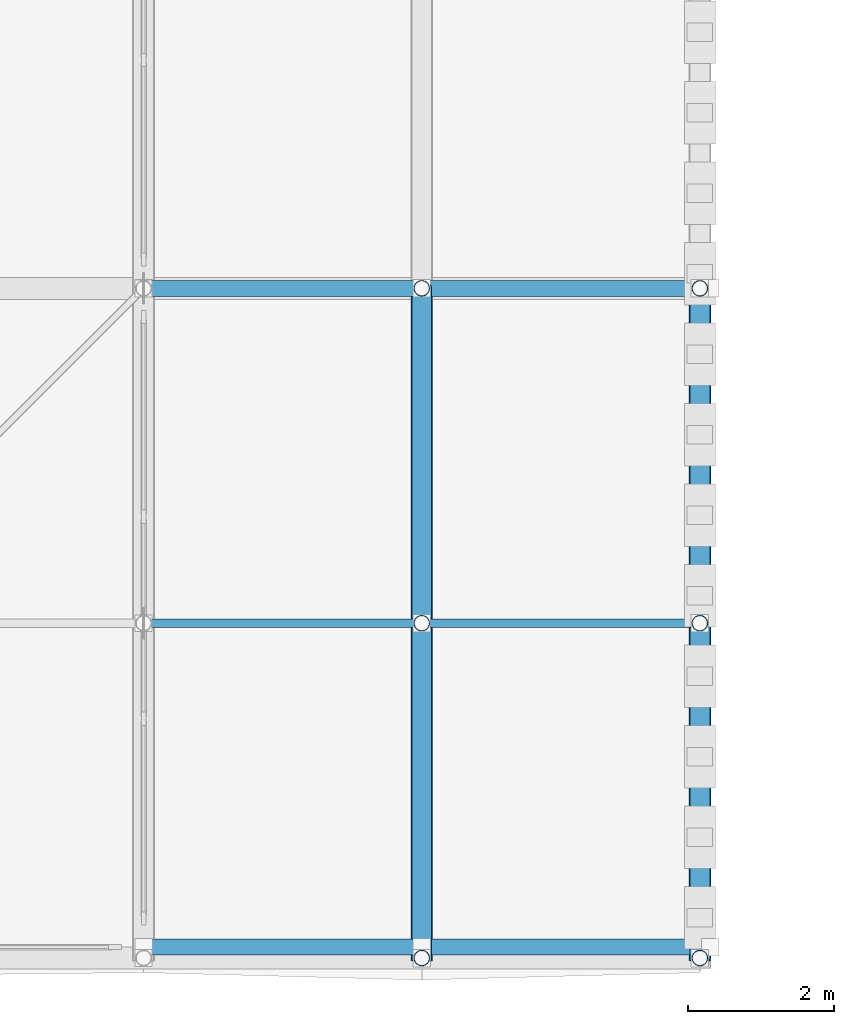
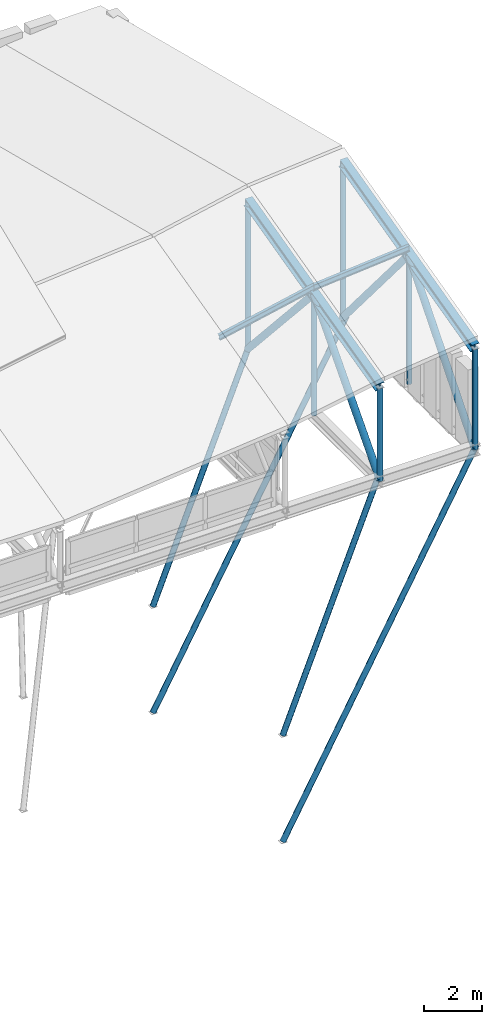
# One storey, part 22 of 42: 18 members.
"""IFC4 building model written with IfcOpenShell, lengths in metres."""

from ifc_helpers import new_model, si_unit, direction, frame, origin, origin_2d, place, context, subcontext, project, spatial, hollow_circle, i_section, extrude, material, material_profile, profile_set, type_object, element, save


model = new_model("IFC4")

# Units and contexts
model_context = context("Model", 3, precision=1e-05, world=origin(), true_north=direction((0.0, 1.0)))
body_context = subcontext(model_context, "Body", "Model", "MODEL_VIEW")
ifc_project = project(units=[si_unit("LENGTHUNIT", "METRE"), si_unit("AREAUNIT", "SQUARE_METRE"), si_unit("VOLUMEUNIT", "CUBIC_METRE"), si_unit("PLANEANGLEUNIT", "RADIAN"), si_unit("MASSUNIT", "GRAM", prefix="KILO")], contexts=[model_context])

# Site, building, storey
site_placement = place(None, origin())
site = spatial("IfcSite", under=ifc_project, at=site_placement, CompositionType="ELEMENT")
building_placement = place(site_placement, origin())
building = spatial("IfcBuilding", under=site, at=building_placement, Name="Bozkorgan Art Gallery", CompositionType="ELEMENT")
storey_placement = place(building_placement, frame((0.0, 0.0, 28.800048828125)))
storey = spatial("IfcBuildingStorey", under=building, at=storey_placement, Name="RF", CompositionType="ELEMENT", Elevation=28.800048828125)

# Members
ifc_material = material(Name="Steel S355J2", Category="steel")
ifc_material_profile_1 = material_profile(ifc_material, hollow_circle(Radius=0.109619140625, WallThickness=0.010009765625, at=origin_2d()), Name="CHS 219.1x10")
ifc_profile_set_1 = profile_set([ifc_material_profile_1], Name="Steel S355J2")
member_type_1 = type_object("IfcMemberType", Name="MEMBER-ES-44", PredefinedType="BRACE", material=ifc_profile_set_1)
member_1_placement = place(storey_placement, frame((65.0, 2.0, -13.800048828125), z_axis=(0.48251516305, 0.0, 0.875887616893), x_axis=(0.0, 1.0, 0.0)))
element("IfcMember", 1, at=member_1_placement, inside=storey, type_object=member_type_1, Name="ROOF-V1-MAIN east swept-eave diagonal tree-strut 1", PredefinedType="BRACE", context=body_context, shape_type="SweptSolid", body=[
    extrude(hollow_circle(Radius=0.109619140625, WallThickness=0.010009765625, at=origin_2d()), origin(), (0.0, 0.0, 1.0), 16.041015625),
])
member_2_placement = place(storey_placement, frame((65.0, 2.0, -9.300048828125), z_axis=(0.369715077637, 0.0, 0.929145177767), x_axis=(0.0, 1.0, 0.0)))
element("IfcMember", 2, at=member_2_placement, inside=storey, type_object=member_type_1, Name="ROOF-V1-MAIN east mid-overhang diagonal tree-strut 1", PredefinedType="BRACE", context=body_context, shape_type="SweptSolid", body=[
    extrude(hollow_circle(Radius=0.109619140625, WallThickness=0.010009765625, at=origin_2d()), origin(), (0.0, 0.0, 1.0), 10.2783203125),
])
member_3_placement = place(storey_placement, frame((65.0, 11.0, -13.800048828125), z_axis=(0.48251516305, 0.0, 0.875887616893), x_axis=(0.0, 1.0, 0.0)))
element("IfcMember", 3, at=member_3_placement, inside=storey, type_object=member_type_1, Name="ROOF-V1-MAIN east swept-eave diagonal tree-strut 2", PredefinedType="BRACE", context=body_context, shape_type="SweptSolid", body=[
    extrude(hollow_circle(Radius=0.109619140625, WallThickness=0.010009765625, at=origin_2d()), origin(), (0.0, 0.0, 1.0), 16.041015625),
])
member_4_placement = place(storey_placement, frame((65.0, 11.0, -9.300048828125), z_axis=(0.369715077637, 0.0, 0.929145177767), x_axis=(0.0, 1.0, 0.0)))
element("IfcMember", 4, at=member_4_placement, inside=storey, type_object=member_type_1, Name="ROOF-V1-MAIN east mid-overhang diagonal tree-strut 2", PredefinedType="BRACE", context=body_context, shape_type="SweptSolid", body=[
    extrude(hollow_circle(Radius=0.109619140625, WallThickness=0.010009765625, at=origin_2d()), origin(), (0.0, 0.0, 1.0), 10.2783203125),
])
ifc_material_profile_2 = material_profile(ifc_material, hollow_circle(Radius=0.109619140625, WallThickness=0.010009765625, at=origin_2d()), Name="CHS 219.1x10")
ifc_profile_set_2 = profile_set([ifc_material_profile_2], Name="Steel S355J2")
member_type_2 = type_object("IfcMemberType", Name="MEMBER-PO-77", PredefinedType="POST", material=ifc_profile_set_2)
member_5_placement = place(storey_placement, frame((68.800048828125, 1.85009765625, 0.25), z_axis=(0.0, 0.0, 1.0), x_axis=(1.0, 0.0, 0.0)))
element("IfcMember", 5, at=member_5_placement, inside=storey, type_object=member_type_2, Name="ROOF-V1-MAIN roof truss 9 post 0", PredefinedType="POST", context=body_context, shape_type="SweptSolid", body=[
    extrude(hollow_circle(Radius=0.109619140625, WallThickness=0.010009765625, at=origin_2d()), origin(), (0.0, 0.0, 1.0), 3.937255859375),
])
member_6_placement = place(storey_placement, frame((68.800048828125, 6.425048828125, 0.25), z_axis=(0.0, 0.0, 1.0), x_axis=(1.0, 0.0, 0.0)))
element("IfcMember", 6, at=member_6_placement, inside=storey, type_object=member_type_2, Name="ROOF-V1-MAIN roof truss 9 post 1", PredefinedType="POST", context=body_context, shape_type="SweptSolid", body=[
    extrude(hollow_circle(Radius=0.109619140625, WallThickness=0.010009765625, at=origin_2d()), origin(), (0.0, 0.0, 1.0), 5.094970703125),
])
member_7_placement = place(storey_placement, frame((68.800048828125, 11.0, 0.25), z_axis=(0.0, 0.0, 1.0), x_axis=(1.0, 0.0, 0.0)))
element("IfcMember", 7, at=member_7_placement, inside=storey, type_object=member_type_2, Name="ROOF-V1-MAIN roof truss 9 post 2", PredefinedType="POST", context=body_context, shape_type="SweptSolid", body=[
    extrude(hollow_circle(Radius=0.109619140625, WallThickness=0.010009765625, at=origin_2d()), origin(), (0.0, 0.0, 1.0), 6.25244140625),
])
member_8_placement = place(storey_placement, frame((72.60009765625, 1.85009765625, 0.25), z_axis=(0.0, 0.0, 1.0), x_axis=(1.0, 0.0, 0.0)))
element("IfcMember", 8, at=member_8_placement, inside=storey, type_object=member_type_2, Name="ROOF-V1-MAIN roof truss 10 post 0", PredefinedType="POST", context=body_context, shape_type="SweptSolid", body=[
    extrude(hollow_circle(Radius=0.109619140625, WallThickness=0.010009765625, at=origin_2d()), origin(), (0.0, 0.0, 1.0), 4.261962890625),
])
member_9_placement = place(storey_placement, frame((72.60009765625, 6.425048828125, 0.25), z_axis=(0.0, 0.0, 1.0), x_axis=(1.0, 0.0, 0.0)))
element("IfcMember", 9, at=member_9_placement, inside=storey, type_object=member_type_2, Name="ROOF-V1-MAIN roof truss 10 post 1", PredefinedType="POST", context=body_context, shape_type="SweptSolid", body=[
    extrude(hollow_circle(Radius=0.109619140625, WallThickness=0.010009765625, at=origin_2d()), origin(), (0.0, 0.0, 1.0), 5.41943359375),
])
member_10_placement = place(storey_placement, frame((72.60009765625, 11.0, 0.25), z_axis=(0.0, 0.0, 1.0), x_axis=(1.0, 0.0, 0.0)))
element("IfcMember", 10, at=member_10_placement, inside=storey, type_object=member_type_2, Name="ROOF-V1-MAIN roof truss 10 post 2", PredefinedType="POST", context=body_context, shape_type="SweptSolid", body=[
    extrude(hollow_circle(Radius=0.109619140625, WallThickness=0.010009765625, at=origin_2d()), origin(), (0.0, 0.0, 1.0), 6.5771484375),
])
ifc_material_profile_3 = material_profile(ifc_material, i_section(OverallWidth=0.1201171875, OverallDepth=0.239990234375, WebThickness=0.006103515625, FlangeThickness=0.009765625, FilletRadius=0.014892578125, at=origin_2d()), Name="IPE 240")
ifc_profile_set_3 = profile_set([ifc_material_profile_3], Name="Steel S355J2")
member_type_3 = type_object("IfcMemberType", Name="MEMBER-PR-34", PredefinedType="PURLIN", material=ifc_profile_set_3)
member_11_placement = place(storey_placement, frame((65.0, 6.425048828125, 4.84326171875), z_axis=(0.978724893195, 0.0, 0.205176956408), x_axis=(0.0, 1.0, 0.0)))
element("IfcMember", 11, at=member_11_placement, inside=storey, type_object=member_type_3, Name="ROOF-V1-MAIN roof purlin 8S", PredefinedType="PURLIN", context=body_context, shape_type="SweptSolid", body=[
    extrude(i_section(OverallWidth=0.1201171875, OverallDepth=0.239990234375, WebThickness=0.006103515625, FlangeThickness=0.009765625, FilletRadius=0.014892578125, at=origin_2d()), origin(), (0.0, 0.0, 1.0), 3.882568359375),
])
member_12_placement = place(storey_placement, frame((68.800048828125, 6.425048828125, 5.639892578125), z_axis=(0.996374607959, 0.0, 0.085074324059), x_axis=(0.0, 1.0, 0.0)))
element("IfcMember", 12, at=member_12_placement, inside=storey, type_object=member_type_3, Name="ROOF-V1-MAIN roof purlin 9S", PredefinedType="PURLIN", context=body_context, shape_type="SweptSolid", body=[
    extrude(i_section(OverallWidth=0.1201171875, OverallDepth=0.239990234375, WebThickness=0.006103515625, FlangeThickness=0.009765625, FilletRadius=0.014892578125, at=origin_2d()), origin(), (0.0, 0.0, 1.0), 3.81396484375),
])
ifc_material_profile_4 = material_profile(ifc_material, i_section(OverallWidth=0.300048828125, OverallDepth=0.35009765625, WebThickness=0.010009765625, FlangeThickness=0.017578125, FilletRadius=0.027099609375, at=origin_2d()), Name="HEA 360")
ifc_profile_set_4 = profile_set([ifc_material_profile_4], Name="Steel S355J2")
member_type_4 = type_object("IfcMemberType", Name="MEMBER-TC-31", PredefinedType="CHORD", material=ifc_profile_set_4)
for number, where, z_axis, x_axis, name in (
    (13, (68.800048828125, 1.85009765625, 4.187255859375), (0.0, 0.969447760812, 0.245297857831), (-1.0, 0.0, 0.0), "ROOF-V1-MAIN roof truss 9 south top chord"),
    (14, (72.60009765625, 1.85009765625, 4.511962890625), (0.0, 0.969447760812, 0.245297857831), (-1.0, 0.0, 0.0), "ROOF-V1-MAIN roof truss 10 south top chord"),
):
    element("IfcMember", number, at=place(storey_placement, frame(where, z_axis=z_axis, x_axis=x_axis)), inside=storey, type_object=member_type_4, Name=name, PredefinedType="CHORD", context=body_context, shape_type="SweptSolid", body=[
        extrude(i_section(OverallWidth=0.300048828125, OverallDepth=0.35009765625, WebThickness=0.010009765625, FlangeThickness=0.017578125, FilletRadius=0.027099609375, at=origin_2d()), origin(), (0.0, 0.0, 1.0), 9.438232421875),
    ])
ifc_material_profile_5 = material_profile(ifc_material, hollow_circle(Radius=0.136474609375, WallThickness=0.012451171875, at=origin_2d()), Name="CHS 273x12.5")
ifc_profile_set_5 = profile_set([ifc_material_profile_5], Name="Steel S355J2")
member_type_5 = type_object("IfcMemberType", Name="MEMBER-TW-28", PredefinedType="BRACE", material=ifc_profile_set_5)
for number, where, z_axis, x_axis, name in (
    (15, (68.800048828125, 1.85009765625, 0.25), (0.0, 0.668115303042, 0.744057754372), (-1.0, 0.0, 0.0), "ROOF-V1-MAIN roof truss 9 diagonal 1"),
    (16, (68.800048828125, 6.425048828125, 5.344970703125), (0.0, 0.668115303042, -0.744057754372), (-1.0, 0.0, 0.0), "ROOF-V1-MAIN roof truss 9 diagonal 2"),
):
    element("IfcMember", number, at=place(storey_placement, frame(where, z_axis=z_axis, x_axis=x_axis)), inside=storey, type_object=member_type_5, Name=name, PredefinedType="BRACE", context=body_context, shape_type="SweptSolid", body=[
        extrude(hollow_circle(Radius=0.136474609375, WallThickness=0.012451171875, at=origin_2d()), origin(), (0.0, 0.0, 1.0), 6.84765625),
    ])
for number, where, z_axis, x_axis, name in (
    (17, (72.60009765625, 1.85009765625, 0.25), (0.0, 0.645060690036, 0.764131340916), (-1.0, 0.0, 0.0), "ROOF-V1-MAIN roof truss 10 diagonal 1"),
    (18, (72.60009765625, 6.425048828125, 5.66943359375), (0.0, 0.645060690036, -0.764131340916), (-1.0, 0.0, 0.0), "ROOF-V1-MAIN roof truss 10 diagonal 2"),
):
    element("IfcMember", number, at=place(storey_placement, frame(where, z_axis=z_axis, x_axis=x_axis)), inside=storey, type_object=member_type_5, Name=name, PredefinedType="BRACE", context=body_context, shape_type="SweptSolid", body=[
        extrude(hollow_circle(Radius=0.136474609375, WallThickness=0.012451171875, at=origin_2d()), origin(), (0.0, 0.0, 1.0), 7.09228515625),
    ])

save(model, "model.ifc")
